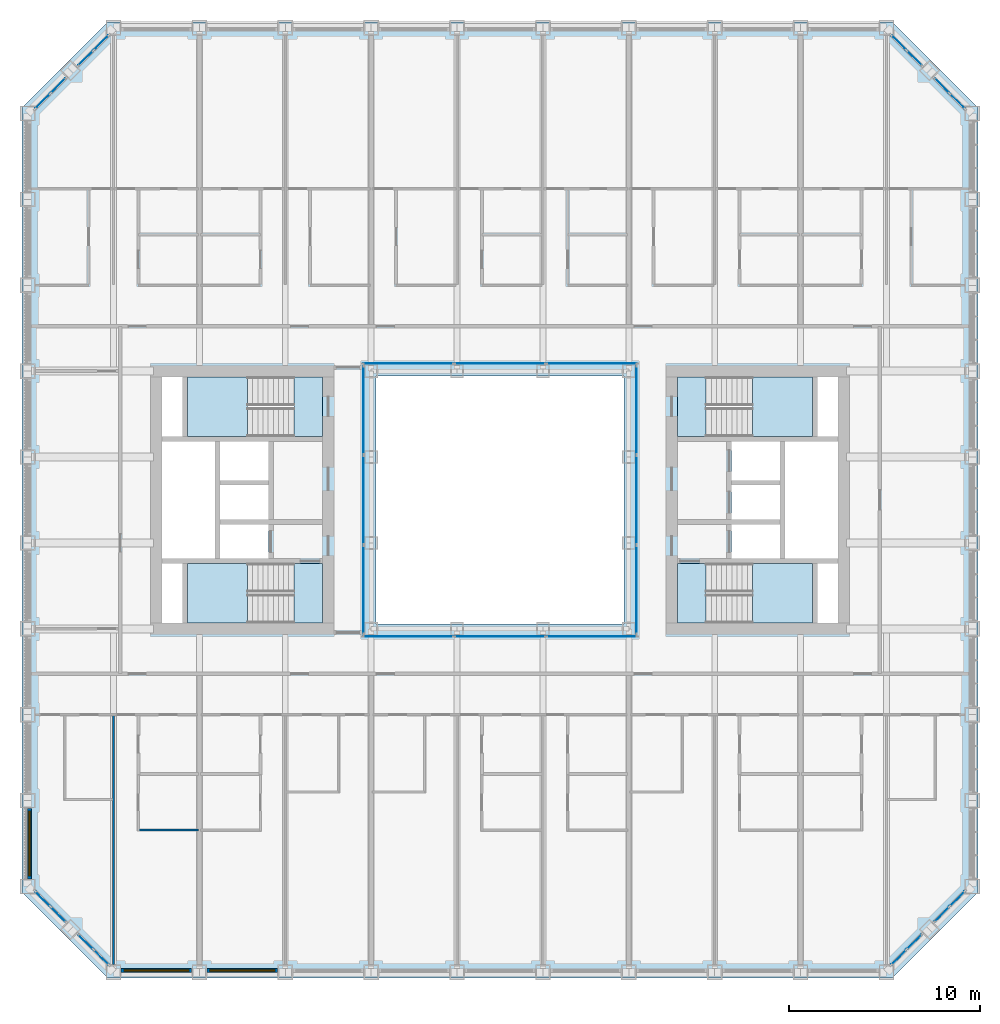
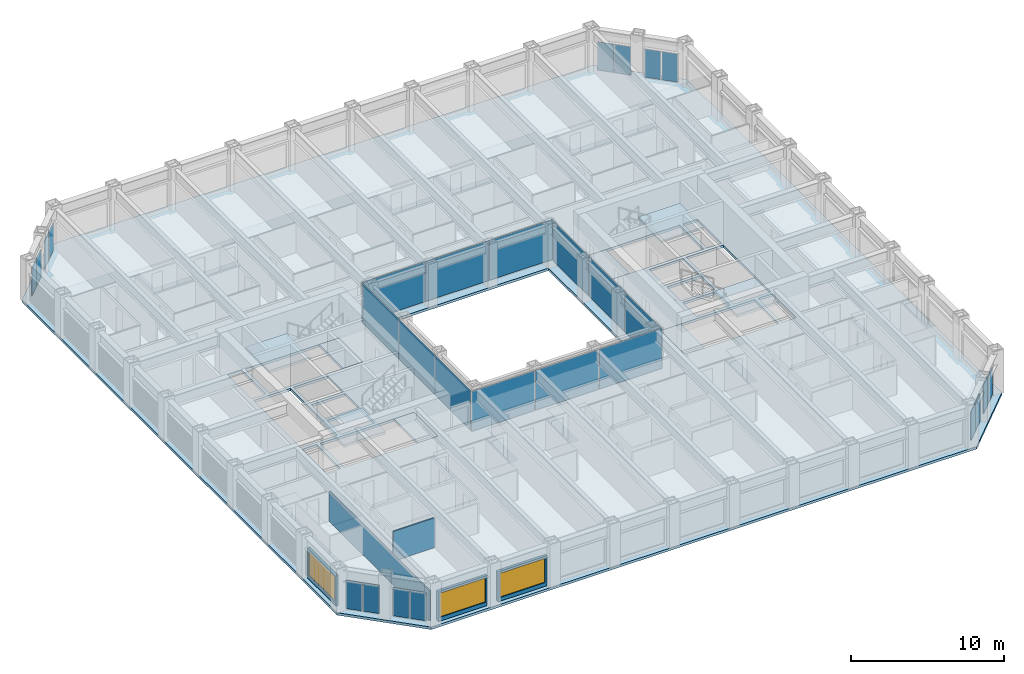
# One storey, part 8 of 21: 28 plates, 9 slabs, 5 walls, 3 windows, 3 openings, 16 elements without a shape of their own.
"""IFC4 building model written with IfcOpenShell, lengths in metres."""

from ifc_helpers import new_model, si_unit, direction, frame, frame_2d, origin, origin_2d, place, context, subcontext, project, spatial, polyline, rectangle, outline, extrude, material, layer, layer_set, type_object, element, fill, aggregate, save


model = new_model("IFC4")

# Units and contexts
model_context = context("Model", 3, precision=1e-05, world=origin(), true_north=direction((0.0, 1.0)))
body_context = subcontext(model_context, "Body", "Model", "MODEL_VIEW")
ifc_project = project(units=[si_unit("LENGTHUNIT", "METRE"), si_unit("AREAUNIT", "SQUARE_METRE"), si_unit("VOLUMEUNIT", "CUBIC_METRE"), si_unit("PLANEANGLEUNIT", "RADIAN"), si_unit("MASSUNIT", "GRAM", prefix="KILO")], contexts=[model_context])

# Site, building, storey
site_placement = place(None, origin())
site = spatial("IfcSite", under=ifc_project, at=site_placement, CompositionType="ELEMENT")
building_placement = place(site_placement, origin())
building = spatial("IfcBuilding", under=site, at=building_placement, Name="Msasa Ring Tower", CompositionType="ELEMENT")
storey_placement = place(building_placement, frame((0.0, 0.0, 47.5)))
storey = spatial("IfcBuildingStorey", under=building, at=storey_placement, Name="L11", CompositionType="ELEMENT", Elevation=47.5)

# Curtain wall, plates
ifc_material_1 = material(Name="Aluminium curtain wall with clear glass", Category="aluminium")
curtain_wall_type_1 = type_object("IfcCurtainWallType", Name="CW-C CHAMFER CORNER CURTAIN WALL", PredefinedType="NOTDEFINED", material=ifc_material_1)
curtain_wall_1_placement = place(storey_placement, origin())
curtain_wall_1 = element("IfcCurtainWall", 1, at=curtain_wall_1_placement, inside=storey, type_object=curtain_wall_type_1, Name="Chamfer corner curtain wall SE L11", PredefinedType="NOTDEFINED")
ifc_material_2 = material(Name="Clear laminated insulating glass unit", Category="glass")
ifc_layer_1 = layer(ifc_material_2, 0.031982421875)
ifc_layer_set_1 = layer_set([ifc_layer_1], Name="CW-C GLASS PANEL 32")
plate_type_1 = type_object("IfcPlateType", Name="CW-C GLASS PANEL 32", PredefinedType="CURTAIN_PANEL", material=ifc_layer_set_1)
plate_1_placement = place(storey_placement, frame((20.896484375, -23.962158203125, 0.06494140625), z_axis=(0.0, 0.0, 1.0), x_axis=(0.707106781187, 0.707106781187, 0.0)))
plate_1 = element("IfcPlate", 2, at=plate_1_placement, type_object=plate_type_1, Name="CW-C panel 1.1", PredefinedType="CURTAIN_PANEL", context=body_context, shape_type="SweptSolid", body=[
    extrude(rectangle(XDim=1.08837890625, YDim=0.031982421875, at=origin_2d()), origin(), (0.0, 0.0, 1.0), 2.2490234375),
])
plate_2_placement = place(storey_placement, frame((21.712158203125, -23.146484375, 0.06494140625), z_axis=(0.0, 0.0, 1.0), x_axis=(0.707106781187, 0.707106781187, 0.0)))
plate_2 = element("IfcPlate", 3, at=plate_2_placement, type_object=plate_type_1, Name="CW-C panel 2.1", PredefinedType="CURTAIN_PANEL", context=body_context, shape_type="SweptSolid", body=[
    extrude(rectangle(XDim=1.08837890625, YDim=0.031982421875, at=origin_2d()), origin(), (0.0, 0.0, 1.0), 2.2490234375),
])
aggregate(curtain_wall_1, [plate_1, plate_2])

curtain_wall_2_placement = place(storey_placement, origin())
curtain_wall_2 = element("IfcCurtainWall", 4, at=curtain_wall_2_placement, inside=storey, type_object=curtain_wall_type_1, Name="Chamfer corner curtain wall SE L11", PredefinedType="NOTDEFINED")
plate_3_placement = place(storey_placement, frame((23.146484375, -21.712158203125, 0.06494140625), z_axis=(0.0, 0.0, 1.0), x_axis=(0.707106781187, 0.707106781187, 0.0)))
plate_3 = element("IfcPlate", 5, at=plate_3_placement, type_object=plate_type_1, Name="CW-C panel 1.1", PredefinedType="CURTAIN_PANEL", context=body_context, shape_type="SweptSolid", body=[
    extrude(rectangle(XDim=1.08837890625, YDim=0.031982421875, at=origin_2d()), origin(), (0.0, 0.0, 1.0), 2.2490234375),
])
plate_4_placement = place(storey_placement, frame((23.962158203125, -20.896484375, 0.06494140625), z_axis=(0.0, 0.0, 1.0), x_axis=(0.707106781187, 0.707106781187, 0.0)))
plate_4 = element("IfcPlate", 6, at=plate_4_placement, type_object=plate_type_1, Name="CW-C panel 2.1", PredefinedType="CURTAIN_PANEL", context=body_context, shape_type="SweptSolid", body=[
    extrude(rectangle(XDim=1.08837890625, YDim=0.031982421875, at=origin_2d()), origin(), (0.0, 0.0, 1.0), 2.2490234375),
])
aggregate(curtain_wall_2, [plate_3, plate_4])

curtain_wall_3_placement = place(storey_placement, origin())
curtain_wall_3 = element("IfcCurtainWall", 7, at=curtain_wall_3_placement, inside=storey, type_object=curtain_wall_type_1, Name="Chamfer corner curtain wall NE L11", PredefinedType="NOTDEFINED")
plate_5_placement = place(storey_placement, frame((21.712158203125, 23.146484375, 0.06494140625), z_axis=(0.0, 0.0, 1.0), x_axis=(-0.707106781187, 0.707106781187, 0.0)))
plate_5 = element("IfcPlate", 8, at=plate_5_placement, type_object=plate_type_1, Name="CW-C panel 1.1", PredefinedType="CURTAIN_PANEL", context=body_context, shape_type="SweptSolid", body=[
    extrude(rectangle(XDim=1.08837890625, YDim=0.031982421875, at=origin_2d()), origin(), (0.0, 0.0, 1.0), 2.2490234375),
])
plate_6_placement = place(storey_placement, frame((20.896484375, 23.962158203125, 0.06494140625), z_axis=(0.0, 0.0, 1.0), x_axis=(-0.707106781187, 0.707106781187, 0.0)))
plate_6 = element("IfcPlate", 9, at=plate_6_placement, type_object=plate_type_1, Name="CW-C panel 2.1", PredefinedType="CURTAIN_PANEL", context=body_context, shape_type="SweptSolid", body=[
    extrude(rectangle(XDim=1.08837890625, YDim=0.031982421875, at=origin_2d()), origin(), (0.0, 0.0, 1.0), 2.2490234375),
])
aggregate(curtain_wall_3, [plate_5, plate_6])

curtain_wall_4_placement = place(storey_placement, origin())
curtain_wall_4 = element("IfcCurtainWall", 10, at=curtain_wall_4_placement, inside=storey, type_object=curtain_wall_type_1, Name="Chamfer corner curtain wall NE L11", PredefinedType="NOTDEFINED")
plate_7_placement = place(storey_placement, frame((23.962158203125, 20.896484375, 0.06494140625), z_axis=(0.0, 0.0, 1.0), x_axis=(-0.707106781187, 0.707106781187, 0.0)))
plate_7 = element("IfcPlate", 11, at=plate_7_placement, type_object=plate_type_1, Name="CW-C panel 1.1", PredefinedType="CURTAIN_PANEL", context=body_context, shape_type="SweptSolid", body=[
    extrude(rectangle(XDim=1.08837890625, YDim=0.031982421875, at=origin_2d()), origin(), (0.0, 0.0, 1.0), 2.2490234375),
])
plate_8_placement = place(storey_placement, frame((23.146484375, 21.712158203125, 0.06494140625), z_axis=(0.0, 0.0, 1.0), x_axis=(-0.707106781187, 0.707106781187, 0.0)))
plate_8 = element("IfcPlate", 12, at=plate_8_placement, type_object=plate_type_1, Name="CW-C panel 2.1", PredefinedType="CURTAIN_PANEL", context=body_context, shape_type="SweptSolid", body=[
    extrude(rectangle(XDim=1.08837890625, YDim=0.031982421875, at=origin_2d()), origin(), (0.0, 0.0, 1.0), 2.2490234375),
])
aggregate(curtain_wall_4, [plate_7, plate_8])

curtain_wall_5_placement = place(storey_placement, origin())
curtain_wall_5 = element("IfcCurtainWall", 13, at=curtain_wall_5_placement, inside=storey, type_object=curtain_wall_type_1, Name="Chamfer corner curtain wall NW L11", PredefinedType="NOTDEFINED")
plate_9_placement = place(storey_placement, frame((-23.146484375, 21.712158203125, 0.06494140625), z_axis=(0.0, 0.0, 1.0), x_axis=(-0.707106781187, -0.707106781187, 0.0)))
plate_9 = element("IfcPlate", 14, at=plate_9_placement, type_object=plate_type_1, Name="CW-C panel 1.1", PredefinedType="CURTAIN_PANEL", context=body_context, shape_type="SweptSolid", body=[
    extrude(rectangle(XDim=1.08837890625, YDim=0.031982421875, at=origin_2d()), origin(), (0.0, 0.0, 1.0), 2.2490234375),
])
plate_10_placement = place(storey_placement, frame((-23.962158203125, 20.896484375, 0.06494140625), z_axis=(0.0, 0.0, 1.0), x_axis=(-0.707106781187, -0.707106781187, 0.0)))
plate_10 = element("IfcPlate", 15, at=plate_10_placement, type_object=plate_type_1, Name="CW-C panel 2.1", PredefinedType="CURTAIN_PANEL", context=body_context, shape_type="SweptSolid", body=[
    extrude(rectangle(XDim=1.08837890625, YDim=0.031982421875, at=origin_2d()), origin(), (0.0, 0.0, 1.0), 2.2490234375),
])
aggregate(curtain_wall_5, [plate_9, plate_10])

curtain_wall_6_placement = place(storey_placement, origin())
curtain_wall_6 = element("IfcCurtainWall", 16, at=curtain_wall_6_placement, inside=storey, type_object=curtain_wall_type_1, Name="Chamfer corner curtain wall NW L11", PredefinedType="NOTDEFINED")
plate_11_placement = place(storey_placement, frame((-20.896484375, 23.962158203125, 0.06494140625), z_axis=(0.0, 0.0, 1.0), x_axis=(-0.707106781187, -0.707106781187, 0.0)))
plate_11 = element("IfcPlate", 17, at=plate_11_placement, type_object=plate_type_1, Name="CW-C panel 1.1", PredefinedType="CURTAIN_PANEL", context=body_context, shape_type="SweptSolid", body=[
    extrude(rectangle(XDim=1.08837890625, YDim=0.031982421875, at=origin_2d()), origin(), (0.0, 0.0, 1.0), 2.2490234375),
])
plate_12_placement = place(storey_placement, frame((-21.712158203125, 23.146484375, 0.06494140625), z_axis=(0.0, 0.0, 1.0), x_axis=(-0.707106781187, -0.707106781187, 0.0)))
plate_12 = element("IfcPlate", 18, at=plate_12_placement, type_object=plate_type_1, Name="CW-C panel 2.1", PredefinedType="CURTAIN_PANEL", context=body_context, shape_type="SweptSolid", body=[
    extrude(rectangle(XDim=1.08837890625, YDim=0.031982421875, at=origin_2d()), origin(), (0.0, 0.0, 1.0), 2.2490234375),
])
aggregate(curtain_wall_6, [plate_11, plate_12])

curtain_wall_7_placement = place(storey_placement, origin())
curtain_wall_7 = element("IfcCurtainWall", 19, at=curtain_wall_7_placement, inside=storey, type_object=curtain_wall_type_1, Name="Chamfer corner curtain wall SW L11", PredefinedType="NOTDEFINED")
plate_13_placement = place(storey_placement, frame((-23.962158203125, -20.896484375, 0.06494140625), z_axis=(0.0, 0.0, 1.0), x_axis=(0.707106781187, -0.707106781187, 0.0)))
plate_13 = element("IfcPlate", 20, at=plate_13_placement, type_object=plate_type_1, Name="CW-C panel 1.1", PredefinedType="CURTAIN_PANEL", context=body_context, shape_type="SweptSolid", body=[
    extrude(rectangle(XDim=1.08837890625, YDim=0.031982421875, at=origin_2d()), origin(), (0.0, 0.0, 1.0), 2.2490234375),
])
plate_14_placement = place(storey_placement, frame((-23.146484375, -21.712158203125, 0.06494140625), z_axis=(0.0, 0.0, 1.0), x_axis=(0.707106781187, -0.707106781187, 0.0)))
plate_14 = element("IfcPlate", 21, at=plate_14_placement, type_object=plate_type_1, Name="CW-C panel 2.1", PredefinedType="CURTAIN_PANEL", context=body_context, shape_type="SweptSolid", body=[
    extrude(rectangle(XDim=1.08837890625, YDim=0.031982421875, at=origin_2d()), origin(), (0.0, 0.0, 1.0), 2.2490234375),
])
aggregate(curtain_wall_7, [plate_13, plate_14])

curtain_wall_8_placement = place(storey_placement, origin())
curtain_wall_8 = element("IfcCurtainWall", 22, at=curtain_wall_8_placement, inside=storey, type_object=curtain_wall_type_1, Name="Chamfer corner curtain wall SW L11", PredefinedType="NOTDEFINED")
plate_15_placement = place(storey_placement, frame((-21.712158203125, -23.146484375, 0.06494140625), z_axis=(0.0, 0.0, 1.0), x_axis=(0.707106781187, -0.707106781187, 0.0)))
plate_15 = element("IfcPlate", 23, at=plate_15_placement, type_object=plate_type_1, Name="CW-C panel 1.1", PredefinedType="CURTAIN_PANEL", context=body_context, shape_type="SweptSolid", body=[
    extrude(rectangle(XDim=1.08837890625, YDim=0.031982421875, at=origin_2d()), origin(), (0.0, 0.0, 1.0), 2.2490234375),
])
plate_16_placement = place(storey_placement, frame((-20.896484375, -23.962158203125, 0.06494140625), z_axis=(0.0, 0.0, 1.0), x_axis=(0.707106781187, -0.707106781187, 0.0)))
plate_16 = element("IfcPlate", 24, at=plate_16_placement, type_object=plate_type_1, Name="CW-C panel 2.1", PredefinedType="CURTAIN_PANEL", context=body_context, shape_type="SweptSolid", body=[
    extrude(rectangle(XDim=1.08837890625, YDim=0.031982421875, at=origin_2d()), origin(), (0.0, 0.0, 1.0), 2.2490234375),
])
aggregate(curtain_wall_8, [plate_15, plate_16])

ifc_material_3 = material(Name="Aluminium curtain wall with clear glass", Category="aluminium")
curtain_wall_type_2 = type_object("IfcCurtainWallType", Name="CW-W LIGHT WELL CURTAIN WALL", PredefinedType="NOTDEFINED", material=ifc_material_3)
curtain_wall_9_placement = place(storey_placement, origin())
curtain_wall_9 = element("IfcCurtainWall", 25, at=curtain_wall_9_placement, inside=storey, type_object=curtain_wall_type_2, Name="Light well curtain wall N L11", PredefinedType="NOTDEFINED")
ifc_material_4 = material(Name="Clear laminated insulating glass unit", Category="glass")
ifc_layer_2 = layer(ifc_material_4, 0.028076171875)
ifc_layer_set_2 = layer_set([ifc_layer_2], Name="CW-W GLASS PANEL 28")
plate_type_2 = type_object("IfcPlateType", Name="CW-W GLASS PANEL 28", PredefinedType="CURTAIN_PANEL", material=ifc_layer_set_2)
plate_17_placement = place(storey_placement, frame((-4.804931640625, 7.14990234375, 0.06005859375), z_axis=(0.0, 0.0, 1.0), x_axis=(1.0, 0.0, 0.0)))
plate_17 = element("IfcPlate", 26, at=plate_17_placement, type_object=plate_type_2, Name="CW-W panel 1.1", PredefinedType="CURTAIN_PANEL", context=body_context, shape_type="SweptSolid", body=[
    extrude(rectangle(XDim=4.72998046875, YDim=0.028076171875, at=origin_2d()), origin(), (0.0, 0.0, 1.0), 3.179931640625),
])
plate_18_placement = place(storey_placement, frame((0.0, 7.14990234375, 0.06005859375), z_axis=(0.0, 0.0, 1.0), x_axis=(1.0, 0.0, 0.0)))
plate_18 = element("IfcPlate", 27, at=plate_18_placement, type_object=plate_type_2, Name="CW-W panel 2.1", PredefinedType="CURTAIN_PANEL", context=body_context, shape_type="SweptSolid", body=[
    extrude(rectangle(XDim=4.760009765625, YDim=0.028076171875, at=origin_2d()), origin(), (0.0, 0.0, 1.0), 3.179931640625),
])
plate_19_placement = place(storey_placement, frame((4.804931640625, 7.14990234375, 0.06005859375), z_axis=(0.0, 0.0, 1.0), x_axis=(1.0, 0.0, 0.0)))
plate_19 = element("IfcPlate", 28, at=plate_19_placement, type_object=plate_type_2, Name="CW-W panel 3.1", PredefinedType="CURTAIN_PANEL", context=body_context, shape_type="SweptSolid", body=[
    extrude(rectangle(XDim=4.72998046875, YDim=0.028076171875, at=origin_2d()), origin(), (0.0, 0.0, 1.0), 3.179931640625),
])
aggregate(curtain_wall_9, [plate_17, plate_18, plate_19])

curtain_wall_10_placement = place(storey_placement, origin())
curtain_wall_10 = element("IfcCurtainWall", 29, at=curtain_wall_10_placement, inside=storey, type_object=curtain_wall_type_2, Name="Light well curtain wall S L11", PredefinedType="NOTDEFINED")
plate_20_placement = place(storey_placement, frame((-4.804931640625, -7.14990234375, 0.06005859375), z_axis=(0.0, 0.0, 1.0), x_axis=(1.0, 0.0, 0.0)))
plate_20 = element("IfcPlate", 30, at=plate_20_placement, type_object=plate_type_2, Name="CW-W panel 1.1", PredefinedType="CURTAIN_PANEL", context=body_context, shape_type="SweptSolid", body=[
    extrude(rectangle(XDim=4.72998046875, YDim=0.028076171875, at=origin_2d()), origin(), (0.0, 0.0, 1.0), 3.179931640625),
])
plate_21_placement = place(storey_placement, frame((0.0, -7.14990234375, 0.06005859375), z_axis=(0.0, 0.0, 1.0), x_axis=(1.0, 0.0, 0.0)))
plate_21 = element("IfcPlate", 31, at=plate_21_placement, type_object=plate_type_2, Name="CW-W panel 2.1", PredefinedType="CURTAIN_PANEL", context=body_context, shape_type="SweptSolid", body=[
    extrude(rectangle(XDim=4.760009765625, YDim=0.028076171875, at=origin_2d()), origin(), (0.0, 0.0, 1.0), 3.179931640625),
])
plate_22_placement = place(storey_placement, frame((4.804931640625, -7.14990234375, 0.06005859375), z_axis=(0.0, 0.0, 1.0), x_axis=(1.0, 0.0, 0.0)))
plate_22 = element("IfcPlate", 32, at=plate_22_placement, type_object=plate_type_2, Name="CW-W panel 3.1", PredefinedType="CURTAIN_PANEL", context=body_context, shape_type="SweptSolid", body=[
    extrude(rectangle(XDim=4.72998046875, YDim=0.028076171875, at=origin_2d()), origin(), (0.0, 0.0, 1.0), 3.179931640625),
])
aggregate(curtain_wall_10, [plate_20, plate_21, plate_22])

curtain_wall_11_placement = place(storey_placement, origin())
curtain_wall_11 = element("IfcCurtainWall", 33, at=curtain_wall_11_placement, inside=storey, type_object=curtain_wall_type_2, Name="Light well curtain wall E L11", PredefinedType="NOTDEFINED")
plate_23_placement = place(storey_placement, frame((7.14990234375, -4.6982421875, 0.06005859375), z_axis=(0.0, 0.0, 1.0), x_axis=(0.0, 1.0, 0.0)))
plate_23 = element("IfcPlate", 34, at=plate_23_placement, type_object=plate_type_2, Name="CW-W panel 1.1", PredefinedType="CURTAIN_PANEL", context=body_context, shape_type="SweptSolid", body=[
    extrude(rectangle(XDim=4.623291015625, YDim=0.028076171875, at=origin_2d()), origin(), (0.0, 0.0, 1.0), 3.179931640625),
])
plate_24_placement = place(storey_placement, frame((7.14990234375, 0.0, 0.06005859375), z_axis=(0.0, 0.0, 1.0), x_axis=(0.0, 1.0, 0.0)))
plate_24 = element("IfcPlate", 35, at=plate_24_placement, type_object=plate_type_2, Name="CW-W panel 2.1", PredefinedType="CURTAIN_PANEL", context=body_context, shape_type="SweptSolid", body=[
    extrude(rectangle(XDim=4.6533203125, YDim=0.028076171875, at=origin_2d()), origin(), (0.0, 0.0, 1.0), 3.179931640625),
])
plate_25_placement = place(storey_placement, frame((7.14990234375, 4.6982421875, 0.06005859375), z_axis=(0.0, 0.0, 1.0), x_axis=(0.0, 1.0, 0.0)))
plate_25 = element("IfcPlate", 36, at=plate_25_placement, type_object=plate_type_2, Name="CW-W panel 3.1", PredefinedType="CURTAIN_PANEL", context=body_context, shape_type="SweptSolid", body=[
    extrude(rectangle(XDim=4.623291015625, YDim=0.028076171875, at=origin_2d()), origin(), (0.0, 0.0, 1.0), 3.179931640625),
])
aggregate(curtain_wall_11, [plate_23, plate_24, plate_25])

curtain_wall_12_placement = place(storey_placement, origin())
curtain_wall_12 = element("IfcCurtainWall", 37, at=curtain_wall_12_placement, inside=storey, type_object=curtain_wall_type_2, Name="Light well curtain wall W L11", PredefinedType="NOTDEFINED")
plate_26_placement = place(storey_placement, frame((-7.14990234375, -4.6982421875, 0.06005859375), z_axis=(0.0, 0.0, 1.0), x_axis=(0.0, 1.0, 0.0)))
plate_26 = element("IfcPlate", 38, at=plate_26_placement, type_object=plate_type_2, Name="CW-W panel 1.1", PredefinedType="CURTAIN_PANEL", context=body_context, shape_type="SweptSolid", body=[
    extrude(rectangle(XDim=4.623291015625, YDim=0.028076171875, at=origin_2d()), origin(), (0.0, 0.0, 1.0), 3.179931640625),
])
plate_27_placement = place(storey_placement, frame((-7.14990234375, 0.0, 0.06005859375), z_axis=(0.0, 0.0, 1.0), x_axis=(0.0, 1.0, 0.0)))
plate_27 = element("IfcPlate", 39, at=plate_27_placement, type_object=plate_type_2, Name="CW-W panel 2.1", PredefinedType="CURTAIN_PANEL", context=body_context, shape_type="SweptSolid", body=[
    extrude(rectangle(XDim=4.6533203125, YDim=0.028076171875, at=origin_2d()), origin(), (0.0, 0.0, 1.0), 3.179931640625),
])
plate_28_placement = place(storey_placement, frame((-7.14990234375, 4.6982421875, 0.06005859375), z_axis=(0.0, 0.0, 1.0), x_axis=(0.0, 1.0, 0.0)))
plate_28 = element("IfcPlate", 40, at=plate_28_placement, type_object=plate_type_2, Name="CW-W panel 3.1", PredefinedType="CURTAIN_PANEL", context=body_context, shape_type="SweptSolid", body=[
    extrude(rectangle(XDim=4.623291015625, YDim=0.028076171875, at=origin_2d()), origin(), (0.0, 0.0, 1.0), 3.179931640625),
])
aggregate(curtain_wall_12, [plate_26, plate_27, plate_28])

# Stair, slabs
ifc_material_5 = material(Name="Concrete C40/50", Category="concrete")
stair_type = type_object("IfcStairType", Name="STC CORE STAIR 20 RISERS 175", PredefinedType="HALF_TURN_STAIR", material=ifc_material_5)
stair_1_placement = place(storey_placement, origin())
stair_1 = element("IfcStair", 41, at=stair_1_placement, inside=storey, type_object=stair_type, Name="Core stair SEA L11", PredefinedType="HALF_TURN_STAIR")
ifc_material_6 = material(Name="Concrete C40/50", Category="concrete")
ifc_layer_3 = layer(ifc_material_6, 0.199951171875)
ifc_layer_set_3 = layer_set([ifc_layer_3], Name="LD1 CORE STAIR LANDING 200")
slab_type_1 = type_object("IfcSlabType", Name="LD1 CORE STAIR LANDING 200", PredefinedType="LANDING", material=ifc_layer_set_3)
slab_1_placement = place(storey_placement, frame((0.0, 0.0, -0.199951171875)))
slab_1 = element("IfcSlab", 42, at=slab_1_placement, type_object=slab_type_1, Name="SEA landing 1", PredefinedType="LANDING", context=body_context, shape_type="SweptSolid", body=[
    extrude(outline(polyline([(9.300048828125, -6.449951171875), (10.800048828125, -6.449951171875), (10.800048828125, -3.324951171875), (9.300048828125, -3.324951171875), (9.300048828125, -6.449951171875)])), origin(), (0.0, 0.0, 1.0), 0.199951171875),
])
slab_2_placement = place(storey_placement, frame((0.0, 0.0, 1.550048828125)))
slab_2 = element("IfcSlab", 43, at=slab_2_placement, type_object=slab_type_1, Name="SEA landing 2", PredefinedType="LANDING", context=body_context, shape_type="SweptSolid", body=[
    extrude(outline(polyline([(13.22998046875, -6.449951171875), (16.375, -6.449951171875), (16.375, -3.324951171875), (13.22998046875, -3.324951171875), (13.22998046875, -6.449951171875)])), origin(), (0.0, 0.0, 1.0), 0.199951171875),
])
aggregate(stair_1, [slab_1, slab_2])

stair_2_placement = place(storey_placement, origin())
stair_2 = element("IfcStair", 44, at=stair_2_placement, inside=storey, type_object=stair_type, Name="Core stair SEB L11", PredefinedType="HALF_TURN_STAIR")
slab_3_placement = place(storey_placement, frame((0.0, 0.0, -0.199951171875)))
slab_3 = element("IfcSlab", 45, at=slab_3_placement, type_object=slab_type_1, Name="SEB landing 1", PredefinedType="LANDING", context=body_context, shape_type="SweptSolid", body=[
    extrude(outline(polyline([(9.300048828125, 3.324951171875), (10.800048828125, 3.324951171875), (10.800048828125, 6.449951171875), (9.300048828125, 6.449951171875), (9.300048828125, 3.324951171875)])), origin(), (0.0, 0.0, 1.0), 0.199951171875),
])
slab_4_placement = place(storey_placement, frame((0.0, 0.0, 1.550048828125)))
slab_4 = element("IfcSlab", 46, at=slab_4_placement, type_object=slab_type_1, Name="SEB landing 2", PredefinedType="LANDING", context=body_context, shape_type="SweptSolid", body=[
    extrude(outline(polyline([(13.22998046875, 3.324951171875), (16.375, 3.324951171875), (16.375, 6.449951171875), (13.22998046875, 6.449951171875), (13.22998046875, 3.324951171875)])), origin(), (0.0, 0.0, 1.0), 0.199951171875),
])
aggregate(stair_2, [slab_3, slab_4])

stair_3_placement = place(storey_placement, origin())
stair_3 = element("IfcStair", 47, at=stair_3_placement, inside=storey, type_object=stair_type, Name="Core stair SWA L11", PredefinedType="HALF_TURN_STAIR")
slab_5_placement = place(storey_placement, frame((0.0, 0.0, -0.199951171875)))
slab_5 = element("IfcSlab", 48, at=slab_5_placement, type_object=slab_type_1, Name="SWA landing 1", PredefinedType="LANDING", context=body_context, shape_type="SweptSolid", body=[
    extrude(outline(polyline([(-10.800048828125, -6.449951171875), (-9.300048828125, -6.449951171875), (-9.300048828125, -3.324951171875), (-10.800048828125, -3.324951171875), (-10.800048828125, -6.449951171875)])), origin(), (0.0, 0.0, 1.0), 0.199951171875),
])
slab_6_placement = place(storey_placement, frame((0.0, 0.0, 1.550048828125)))
slab_6 = element("IfcSlab", 49, at=slab_6_placement, type_object=slab_type_1, Name="SWA landing 2", PredefinedType="LANDING", context=body_context, shape_type="SweptSolid", body=[
    extrude(outline(polyline([(-16.375, -6.449951171875), (-13.22998046875, -6.449951171875), (-13.22998046875, -3.324951171875), (-16.375, -3.324951171875), (-16.375, -6.449951171875)])), origin(), (0.0, 0.0, 1.0), 0.199951171875),
])
aggregate(stair_3, [slab_5, slab_6])

stair_4_placement = place(storey_placement, origin())
stair_4 = element("IfcStair", 50, at=stair_4_placement, inside=storey, type_object=stair_type, Name="Core stair SWB L11", PredefinedType="HALF_TURN_STAIR")
slab_7_placement = place(storey_placement, frame((0.0, 0.0, -0.199951171875)))
slab_7 = element("IfcSlab", 51, at=slab_7_placement, type_object=slab_type_1, Name="SWB landing 1", PredefinedType="LANDING", context=body_context, shape_type="SweptSolid", body=[
    extrude(outline(polyline([(-10.800048828125, 3.324951171875), (-9.300048828125, 3.324951171875), (-9.300048828125, 6.449951171875), (-10.800048828125, 6.449951171875), (-10.800048828125, 3.324951171875)])), origin(), (0.0, 0.0, 1.0), 0.199951171875),
])
slab_8_placement = place(storey_placement, frame((0.0, 0.0, 1.550048828125)))
slab_8 = element("IfcSlab", 52, at=slab_8_placement, type_object=slab_type_1, Name="SWB landing 2", PredefinedType="LANDING", context=body_context, shape_type="SweptSolid", body=[
    extrude(outline(polyline([(-16.375, 3.324951171875), (-13.22998046875, 3.324951171875), (-13.22998046875, 6.449951171875), (-16.375, 6.449951171875), (-16.375, 3.324951171875)])), origin(), (0.0, 0.0, 1.0), 0.199951171875),
])
aggregate(stair_4, [slab_7, slab_8])

# Slab
ifc_material_7 = material(Name="Concrete C40/50", Category="concrete")
ifc_layer_4 = layer(ifc_material_7, 0.199951171875)
ifc_layer_set_4 = layer_set([ifc_layer_4], Name="S3 RESIDENCE FLOOR 200")
slab_type_2 = type_object("IfcSlabType", Name="S3 RESIDENCE FLOOR 200", PredefinedType="FLOOR", material=ifc_layer_set_4)
slab_9_placement = place(storey_placement, frame((0.0, 0.0, -0.199951171875)))
element("IfcSlab", 53, at=slab_9_placement, inside=storey, type_object=slab_type_2, Name="Floor slab L11", PredefinedType="FLOOR", context=body_context, shape_type="SweptSolid", body=[
    extrude(outline(polyline([(-20.550048828125, -25.050048828125), (20.550048828125, -25.050048828125), (25.050048828125, -20.550048828125), (25.050048828125, 20.550048828125), (20.550048828125, 25.050048828125), (-20.550048828125, 25.050048828125), (-25.050048828125, 20.550048828125), (-25.050048828125, -20.550048828125), (-20.550048828125, -25.050048828125)]), holes=[polyline([(-6.5, -6.5), (6.5, -6.5), (6.5, 6.5), (-6.5, 6.5), (-6.5, -6.5)]), polyline([(9.300048828125, -6.449951171875), (16.375, -6.449951171875), (16.375, -3.324951171875), (9.300048828125, -3.324951171875), (9.300048828125, -6.449951171875)]), polyline([(9.300048828125, 3.324951171875), (16.375, 3.324951171875), (16.375, 6.449951171875), (9.300048828125, 6.449951171875), (9.300048828125, 3.324951171875)]), polyline([(12.125, -3.074951171875), (14.675048828125, -3.074951171875), (14.675048828125, -1.27490234375), (12.125, -1.27490234375), (12.125, -3.074951171875)]), polyline([(12.125, -1.02490234375), (14.675048828125, -1.02490234375), (14.675048828125, 0.77490234375), (12.125, 0.77490234375), (12.125, -1.02490234375)]), polyline([(12.125, 1.02490234375), (14.675048828125, 1.02490234375), (14.675048828125, 3.074951171875), (12.125, 3.074951171875), (12.125, 1.02490234375)]), polyline([(16.625, -6.449951171875), (17.699951171875, -6.449951171875), (17.699951171875, -3.324951171875), (16.625, -3.324951171875), (16.625, -6.449951171875)]), polyline([(16.625, 3.324951171875), (17.699951171875, 3.324951171875), (17.699951171875, 6.449951171875), (16.625, 6.449951171875), (16.625, 3.324951171875)]), polyline([(14.925048828125, -3.074951171875), (17.699951171875, -3.074951171875), (17.699951171875, 3.074951171875), (14.925048828125, 3.074951171875), (14.925048828125, -3.074951171875)]), polyline([(-16.375, -6.449951171875), (-9.300048828125, -6.449951171875), (-9.300048828125, -3.324951171875), (-16.375, -3.324951171875), (-16.375, -6.449951171875)]), polyline([(-16.375, 3.324951171875), (-9.300048828125, 3.324951171875), (-9.300048828125, 6.449951171875), (-16.375, 6.449951171875), (-16.375, 3.324951171875)]), polyline([(-14.675048828125, -3.074951171875), (-12.125, -3.074951171875), (-12.125, -1.27490234375), (-14.675048828125, -1.27490234375), (-14.675048828125, -3.074951171875)]), polyline([(-14.675048828125, -1.02490234375), (-12.125, -1.02490234375), (-12.125, 0.77490234375), (-14.675048828125, 0.77490234375), (-14.675048828125, -1.02490234375)]), polyline([(-14.675048828125, 1.02490234375), (-12.125, 1.02490234375), (-12.125, 3.074951171875), (-14.675048828125, 3.074951171875), (-14.675048828125, 1.02490234375)]), polyline([(-17.699951171875, -6.449951171875), (-16.625, -6.449951171875), (-16.625, -3.324951171875), (-17.699951171875, -3.324951171875), (-17.699951171875, -6.449951171875)]), polyline([(-17.699951171875, 3.324951171875), (-16.625, 3.324951171875), (-16.625, 6.449951171875), (-17.699951171875, 6.449951171875), (-17.699951171875, 3.324951171875)]), polyline([(-17.699951171875, -3.074951171875), (-14.925048828125, -3.074951171875), (-14.925048828125, 3.074951171875), (-17.699951171875, 3.074951171875), (-17.699951171875, -3.074951171875)])]), origin(), (0.0, 0.0, 1.0), 0.199951171875),
])

# Wall, opening, window
ifc_material_8 = material(Name="Terracotta rainscreen on blockwork", Category="masonry")
ifc_layer_5 = layer(ifc_material_8, 0.199951171875)
ifc_layer_set_5 = layer_set([ifc_layer_5], Name="FW1 TERRACOTTA-LINED INFILL BAY WALL 200")
wall_type_1 = type_object("IfcWallType", Name="FW1 TERRACOTTA-LINED INFILL BAY WALL 200", PredefinedType="SOLIDWALL", material=ifc_layer_set_5)
wall_1_placement = place(storey_placement, frame((-19.844970703125, -24.64990234375, 0.0), z_axis=(0.0, 0.0, 1.0), x_axis=(1.0, 0.0, 0.0)))
wall_1 = element("IfcWall", 54, at=wall_1_placement, inside=storey, type_object=wall_type_1, Name="Infill bay wall S L11 00", PredefinedType="SOLIDWALL", context=body_context, shape_type="SweptSolid", body=[
    extrude(rectangle(XDim=3.68994140625, YDim=0.199951171875, at=frame_2d((1.844970703125, 0.0))), origin(), (0.0, 0.0, 1.0), 2.37890625),
])
opening_1_placement = place(wall_1_placement, frame((0.14501953125, 0.0, 0.300048828125)))
opening_1 = element("IfcOpeningElement", 55, at=opening_1_placement, cuts=wall_1, Name="Opening WN1", PredefinedType="OPENING", context=body_context, shape_type="SweptSolid", body=[
    extrude(rectangle(XDim=3.39990234375, YDim=1.928955078125, at=frame_2d((1.699951171875, 0.96435546875))), frame((0.0, 0.10986328125, 0.0), z_axis=(0.0, -1.0, 0.0), x_axis=(1.0, 0.0, 0.0)), (0.0, 0.0, 1.0), 0.219970703125),
])
ifc_material_9 = material(Name="Aluminium frame with clear glass", Category="aluminium")
window_type = type_object("IfcWindowType", Name="WN1 RESIDENCE WINDOW 3400x1929", PartitioningType="SINGLE_PANEL", PredefinedType="WINDOW", material=ifc_material_9)
window_1_placement = place(opening_1_placement, origin())
window_1 = element("IfcWindow", 56, at=window_1_placement, inside=storey, type_object=window_type, Name="Window S L11 00", OverallHeight=1.928955078125, OverallWidth=3.39990234375, PartitioningType="SINGLE_PANEL", PredefinedType="WINDOW", context=body_context, shape_type="SweptSolid", body=[
    extrude(rectangle(XDim=3.39990234375, YDim=1.928955078125, at=frame_2d((1.699951171875, 0.96435546875))), frame((0.0, 0.030029296875, 0.0), z_axis=(0.0, -1.0, 0.0), x_axis=(1.0, 0.0, 0.0)), (0.0, 0.0, 1.0), 0.06005859375),
])
fill(opening_1, window_1)

wall_2_placement = place(storey_placement, frame((-15.344970703125, -24.64990234375, 0.0), z_axis=(0.0, 0.0, 1.0), x_axis=(1.0, 0.0, 0.0)))
wall_2 = element("IfcWall", 57, at=wall_2_placement, inside=storey, type_object=wall_type_1, Name="Infill bay wall S L11 01", PredefinedType="SOLIDWALL", context=body_context, shape_type="SweptSolid", body=[
    extrude(rectangle(XDim=3.68994140625, YDim=0.199951171875, at=frame_2d((1.844970703125, 0.0))), origin(), (0.0, 0.0, 1.0), 2.37890625),
])
opening_2_placement = place(wall_2_placement, frame((0.14501953125, 0.0, 0.300048828125)))
opening_2 = element("IfcOpeningElement", 58, at=opening_2_placement, cuts=wall_2, Name="Opening WN1", PredefinedType="OPENING", context=body_context, shape_type="SweptSolid", body=[
    extrude(rectangle(XDim=3.39990234375, YDim=1.928955078125, at=frame_2d((1.699951171875, 0.96435546875))), frame((0.0, 0.10986328125, 0.0), z_axis=(0.0, -1.0, 0.0), x_axis=(1.0, 0.0, 0.0)), (0.0, 0.0, 1.0), 0.219970703125),
])
window_2_placement = place(opening_2_placement, origin())
window_2 = element("IfcWindow", 59, at=window_2_placement, inside=storey, type_object=window_type, Name="Window S L11 01", OverallHeight=1.928955078125, OverallWidth=3.39990234375, PartitioningType="SINGLE_PANEL", PredefinedType="WINDOW", context=body_context, shape_type="SweptSolid", body=[
    extrude(rectangle(XDim=3.39990234375, YDim=1.928955078125, at=frame_2d((1.699951171875, 0.96435546875))), frame((0.0, 0.030029296875, 0.0), z_axis=(0.0, -1.0, 0.0), x_axis=(1.0, 0.0, 0.0)), (0.0, 0.0, 1.0), 0.06005859375),
])
fill(opening_2, window_2)

wall_3_placement = place(storey_placement, frame((-24.64990234375, -19.844970703125, 0.0), z_axis=(0.0, 0.0, 1.0), x_axis=(0.0, 1.0, 0.0)))
wall_3 = element("IfcWall", 60, at=wall_3_placement, inside=storey, type_object=wall_type_1, Name="Infill bay wall W L11 33", PredefinedType="SOLIDWALL", context=body_context, shape_type="SweptSolid", body=[
    extrude(rectangle(XDim=3.68994140625, YDim=0.199951171875, at=frame_2d((1.844970703125, 0.0))), origin(), (0.0, 0.0, 1.0), 2.37890625),
])
opening_3_placement = place(wall_3_placement, frame((0.14501953125, 0.0, 0.300048828125)))
opening_3 = element("IfcOpeningElement", 61, at=opening_3_placement, cuts=wall_3, Name="Opening WN1", PredefinedType="OPENING", context=body_context, shape_type="SweptSolid", body=[
    extrude(rectangle(XDim=3.39990234375, YDim=1.928955078125, at=frame_2d((1.699951171875, 0.96435546875))), frame((0.0, 0.10986328125, 0.0), z_axis=(0.0, -1.0, 0.0), x_axis=(1.0, 0.0, 0.0)), (0.0, 0.0, 1.0), 0.219970703125),
])
window_3_placement = place(opening_3_placement, origin())
window_3 = element("IfcWindow", 62, at=window_3_placement, inside=storey, type_object=window_type, Name="Window W L11 33", OverallHeight=1.928955078125, OverallWidth=3.39990234375, PartitioningType="SINGLE_PANEL", PredefinedType="WINDOW", context=body_context, shape_type="SweptSolid", body=[
    extrude(rectangle(XDim=3.39990234375, YDim=1.928955078125, at=frame_2d((1.699951171875, 0.96435546875))), frame((0.0, 0.030029296875, 0.0), z_axis=(0.0, -1.0, 0.0), x_axis=(1.0, 0.0, 0.0)), (0.0, 0.0, 1.0), 0.06005859375),
])
fill(opening_3, window_3)

# Walls
ifc_material_10 = material(Name="Gypsum board on steel studs", Category="steel")
ifc_layer_6 = layer(ifc_material_10, 0.10009765625)
ifc_layer_set_6 = layer_set([ifc_layer_6], Name="PT2 STUD PARTITION 100")
wall_type_2 = type_object("IfcWallType", Name="PT2 STUD PARTITION 100", PredefinedType="PARTITIONING", material=ifc_layer_set_6)
wall_4_placement = place(storey_placement, frame((-20.25, -24.35009765625, 0.0), z_axis=(0.0, 0.0, 1.0), x_axis=(0.0, 1.0, 0.0)))
element("IfcWall", 63, at=wall_4_placement, inside=storey, type_object=wall_type_2, Name="Partition L11-US00P1", PredefinedType="PARTITIONING", context=body_context, shape_type="SweptSolid", body=[
    extrude(rectangle(XDim=13.050048828125, YDim=0.10009765625, at=frame_2d((6.52490234375, 0.0))), origin(), (0.0, 0.0, 1.0), 2.373291015625),
])
wall_5_placement = place(storey_placement, frame((-18.949951171875, -17.291015625, 0.0), z_axis=(0.0, 0.0, 1.0), x_axis=(1.0, 0.0, 0.0)))
element("IfcWall", 64, at=wall_5_placement, inside=storey, type_object=wall_type_2, Name="Partition L11-US00WY1", PredefinedType="PARTITIONING", context=body_context, shape_type="SweptSolid", body=[
    extrude(rectangle(XDim=3.139892578125, YDim=0.10009765625, at=frame_2d((1.56982421875, 0.0))), origin(), (0.0, 0.0, 1.0), 2.373291015625),
])

save(model, "model.ifc")
